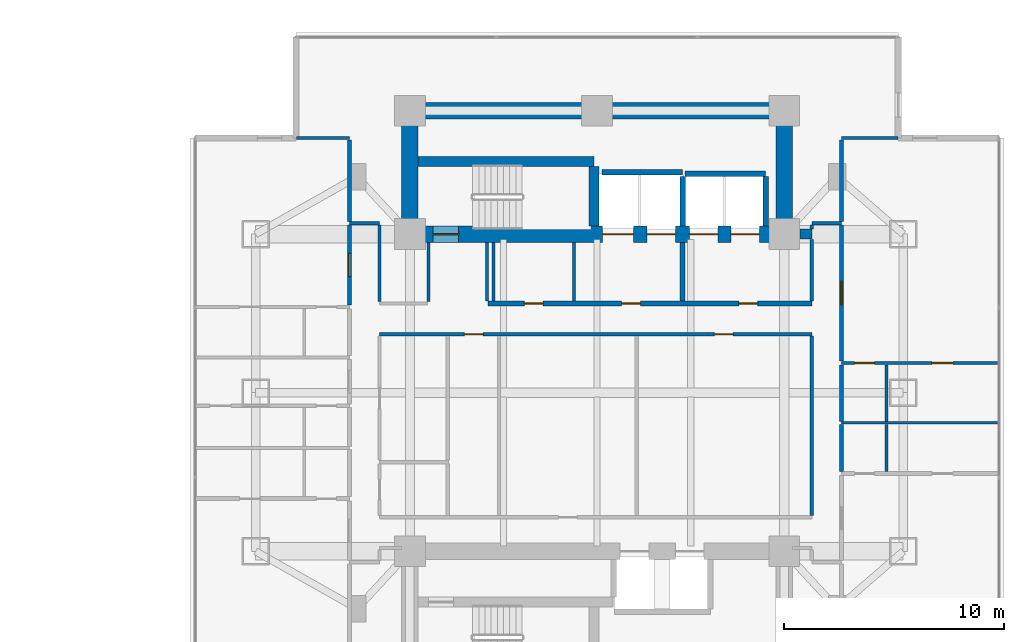
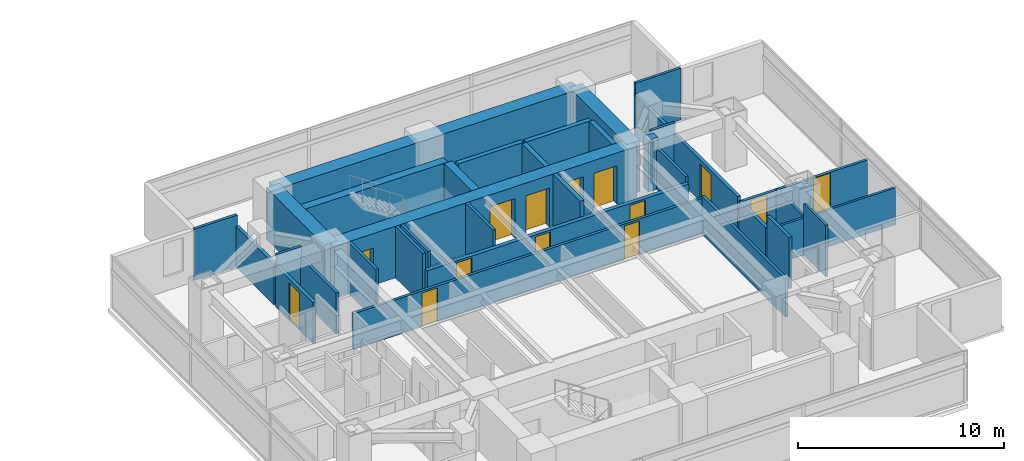
# One storey, part 17 of 23: 36 walls, 14 doors, 14 openings.
"""IFC4 building model written with IfcOpenShell, lengths in metres."""

import ifcopenshell
import ifcopenshell.guid

model = None  # the IFC model being written
_history = None  # IfcOwnerHistory: only IFC2X3 demands one
_inside = {}  # id of a spatial element -> (the spatial element, [elements in it])
_under = {}  # id of a project, library or spatial element -> (it, [spatial elements below it])
_declared = {}  # id of a project -> (the project, [libraries it declares])
_typed = {}  # id of a type object -> (the type object, [elements of that type])
_made_of = {}  # id of a material, layer set ... -> (it, [elements and type objects made of it])


def new_model(schema):
    """Start an empty IFC model of exactly this schema.

    Asked for "IFC4X3", IfcOpenShell would pick the latest addendum, in which some entities
    have other attributes; the version numbers below select the first issue.
    IFC2X3 requires an IfcOwnerHistory on every rooted entity: one is made here for all.
    """
    global model, _history
    if schema == "IFC4X3":
        model = ifcopenshell.file(schema_version=(4, 3, 0, 0))
    else:
        model = ifcopenshell.file(schema=schema)
    _inside.clear()
    _under.clear()
    _declared.clear()
    _typed.clear()
    _made_of.clear()
    _history = None
    if model.schema == "IFC2X3":
        org = make("IfcOrganization", Name="unknown")
        user = make(
            "IfcPersonAndOrganization",
            ThePerson=make("IfcPerson", FamilyName="unknown"),
            TheOrganization=org,
        )
        app = make(
            "IfcApplication",
            ApplicationDeveloper=org,
            Version="unknown",
            ApplicationFullName="unknown",
            ApplicationIdentifier="unknown",
        )
        _history = make(
            "IfcOwnerHistory",
            OwningUser=user,
            OwningApplication=app,
            ChangeAction="ADDED",
            CreationDate=0,
        )
    return model


def make(cls, **values):
    """One entity of the class cls with the attributes given. An attribute that is None is left unset."""
    return model.create_entity(
        cls, **{name: value for name, value in values.items() if value is not None}
    )


def rooted(cls, **values):
    """An entity with a GlobalId (a new one), such as an element, a storey or a relation."""
    return make(cls, GlobalId=ifcopenshell.guid.new(), OwnerHistory=_history, **values)


def si_unit(unit_type, name, prefix=None):
    """IfcSIUnit, for example si_unit("LENGTHUNIT", "METRE", prefix="MILLI")."""
    return make("IfcSIUnit", UnitType=unit_type, Prefix=prefix, Name=name)


def assignment(units):
    """IfcUnitAssignment: the units of a project."""
    return None if units is None else make("IfcUnitAssignment", Units=units)


def point(xyz):
    """IfcCartesianPoint."""
    return None if xyz is None else make("IfcCartesianPoint", Coordinates=xyz)


def direction(xyz):
    """IfcDirection."""
    return None if xyz is None else make("IfcDirection", DirectionRatios=xyz)


def frame(location, z_axis=None, x_axis=None):
    """IfcAxis2Placement3D, a coordinate frame: its origin and axes. An axis left out is left unset."""
    return make(
        "IfcAxis2Placement3D",
        Location=point(location),
        Axis=direction(z_axis),
        RefDirection=direction(x_axis),
    )


def frame_2d(location, x_axis=None):
    """IfcAxis2Placement2D, a coordinate frame in the plane: its origin and x axis."""
    return make(
        "IfcAxis2Placement2D", Location=point(location), RefDirection=direction(x_axis)
    )


def origin():
    """The frame at (0, 0, 0) with its axes left unset."""
    return frame((0.0, 0.0, 0.0))


def place(relative_to, where):
    """IfcLocalPlacement: puts the frame where relative to a parent placement (None: the world)."""
    return make(
        "IfcLocalPlacement", PlacementRelTo=relative_to, RelativePlacement=where
    )


def context(
    kind, dimensions, precision=None, world=None, true_north=None, identifier=None
):
    """IfcGeometricRepresentationContext, for example the 3D "Model" context."""
    return make(
        "IfcGeometricRepresentationContext",
        ContextIdentifier=identifier,
        ContextType=kind,
        CoordinateSpaceDimension=dimensions,
        Precision=precision,
        WorldCoordinateSystem=world,
        TrueNorth=true_north,
    )


def subcontext(parent, identifier, kind, view, scale=None):
    """IfcGeometricRepresentationSubContext, for example "Body" below "Model"."""
    return make(
        "IfcGeometricRepresentationSubContext",
        ContextIdentifier=identifier,
        ContextType=kind,
        ParentContext=parent,
        TargetScale=scale,
        TargetView=view,
    )


def project(units=None, contexts=None):
    """IfcProject with its units and contexts."""
    return rooted(
        "IfcProject",
        Name="project",
        RepresentationContexts=contexts,
        UnitsInContext=assignment(units),
    )


def spatial(cls, under=None, at=None, **own):
    """A site, building, storey or space (cls), placed at a placement, below another one or the project."""
    s = rooted(cls, ObjectPlacement=at, **own)
    if under is not None:
        _under.setdefault(under.id(), (under, []))[1].append(s)
    return s


def profile(cls, at=None, kind="AREA", **sizes):
    """A parametric profile (cls). Its sizes go by their IFC names, for example OverallWidth=200.0."""
    return make(cls, ProfileType=kind, Position=at, **sizes)


def rectangle(**sizes):
    """IfcRectangleProfileDef."""
    return profile("IfcRectangleProfileDef", **sizes)


def extrude(swept, where, along, depth):
    """IfcExtrudedAreaSolid: the profile swept, set in the frame where, extruded along a direction by depth."""
    return make(
        "IfcExtrudedAreaSolid",
        SweptArea=swept,
        Position=where,
        ExtrudedDirection=direction(along),
        Depth=depth,
    )


def shape(context_of_items, identifier, shape_type, items):
    """IfcShapeRepresentation: the items that make up one representation, for example the "Body"."""
    return make(
        "IfcShapeRepresentation",
        ContextOfItems=context_of_items,
        RepresentationIdentifier=identifier,
        RepresentationType=shape_type,
        Items=items,
    )


def material(Name=None, Category=None):
    """IfcMaterial."""
    return make("IfcMaterial", Name=Name, Category=Category)


def layer(
    of_material, thickness, ventilated=None, Name=None, Category=None, Priority=None
):
    """IfcMaterialLayer: one layer of a wall or slab, of a material (None: an air gap)."""
    return make(
        "IfcMaterialLayer",
        Material=of_material,
        LayerThickness=thickness,
        IsVentilated=ventilated,
        Name=Name,
        Category=Category,
        Priority=Priority,
    )


def layer_set(layers, Name=None):
    """IfcMaterialLayerSet."""
    return make("IfcMaterialLayerSet", MaterialLayers=layers, LayerSetName=Name)


def made_of(thing, what):
    """Note that an element or type object is made of a material, layer set ...; save() writes the relation."""
    if what is not None:
        _made_of.setdefault(what.id(), (what, []))[1].append(thing)
    return thing


def type_object(cls, material=None, **own):
    """A type object (cls), such as IfcWallType, which elements share."""
    return made_of(rooted(cls, **own), material)


def element(
    cls,
    number,
    at=None,
    inside=None,
    cuts=None,
    type_object=None,
    material=None,
    context=None,
    identifier="Body",
    shape_type=None,
    held_by="IfcProductDefinitionShape",
    body=None,
    shapes=None,
    **own,
):
    """One element of the class cls, such as IfcWall. Its Tag is "e" and its number.

    at: its placement. inside: the storey or other place that contains it. cuts: it is an
    opening in that element (IfcRelVoidsElement). A single representation is given by context,
    identifier, shape_type and body (its items); several are given by shapes. held_by: the class
    of the entity that holds the representations. save() writes the other relations.
    """
    e = rooted(cls, Tag="e%d" % number, ObjectPlacement=at, **own)
    if body is not None:
        shapes = [shape(context, identifier, shape_type, body)]
    if shapes is not None:
        e.Representation = make(held_by, Representations=shapes)
    if inside is not None:
        _inside.setdefault(inside.id(), (inside, []))[1].append(e)
    if cuts is not None:
        rooted(
            "IfcRelVoidsElement", RelatingBuildingElement=cuts, RelatedOpeningElement=e
        )
    if type_object is not None:
        _typed.setdefault(type_object.id(), (type_object, []))[1].append(e)
    return made_of(e, material)


def fill(opening, filler):
    """IfcRelFillsElement: the door or window that sits in an opening."""
    return rooted(
        "IfcRelFillsElement",
        RelatingOpeningElement=opening,
        RelatedBuildingElement=filler,
    )


def aggregate(whole, parts):
    """IfcRelAggregates: a whole, such as a stair, and the parts it consists of."""
    return rooted("IfcRelAggregates", RelatingObject=whole, RelatedObjects=parts)


def save(model, path):
    """Write the relations noted so far, then the file.

    IfcRelAggregates (storeys below a building ...), IfcRelContainedInSpatialStructure (elements
    in a storey), IfcRelDefinesByType, IfcRelAssociatesMaterial and IfcRelDeclares: one each for
    every whole, place, type object, material and project.
    """
    for whole, parts in _under.values():
        aggregate(whole, parts)
    for where, things in _inside.values():
        rooted(
            "IfcRelContainedInSpatialStructure",
            RelatedElements=things,
            RelatingStructure=where,
        )
    for kind, things in _typed.values():
        rooted("IfcRelDefinesByType", RelatedObjects=things, RelatingType=kind)
    for what, things in _made_of.values():
        rooted("IfcRelAssociatesMaterial", RelatedObjects=things, RelatingMaterial=what)
    for by, libraries in _declared.values():
        rooted("IfcRelDeclares", RelatingContext=by, RelatedDefinitions=libraries)
    model.write(path)


model = new_model("IFC4")

# Units and contexts
model_context = context("Model", 3, precision=1e-05, world=origin(), true_north=direction((0.0, 1.0)))
body_context = subcontext(model_context, "Body", "Model", "MODEL_VIEW")
ifc_project = project(units=[si_unit("LENGTHUNIT", "METRE"), si_unit("AREAUNIT", "SQUARE_METRE"), si_unit("VOLUMEUNIT", "CUBIC_METRE"), si_unit("PLANEANGLEUNIT", "RADIAN"), si_unit("MASSUNIT", "GRAM", prefix="KILO")], contexts=[model_context])

# Site, building, storey
site_placement = place(None, origin())
site = spatial("IfcSite", under=ifc_project, at=site_placement, CompositionType="ELEMENT")
building_placement = place(site_placement, origin())
building = spatial("IfcBuilding", under=site, at=building_placement, Name="Mirazonda Arch Towers", CompositionType="ELEMENT")
storey_placement = place(building_placement, frame((0.0, 0.0, 29.0)))
storey = spatial("IfcBuildingStorey", under=building, at=storey_placement, Name="L07", CompositionType="ELEMENT", Elevation=29.0)

# Walls
ifc_material_1 = material(Name="Concrete C50/60", Category="concrete")
ifc_layer_1 = layer(ifc_material_1, 0.449951171875, Name="WALL-CORE-450")
ifc_layer_set_1 = layer_set([ifc_layer_1], Name="Concrete C50/60")
wall_type_1 = type_object("IfcWallType", Name="WALL-CORE-450", PredefinedType="SHEAR", material=ifc_layer_set_1)
wall_1_placement = place(storey_placement, frame((85.715087890625, 35.199951171875, 0.0), z_axis=(0.0, 0.0, 1.0), x_axis=(1.0, 0.0, 0.0)))
element("IfcWall", 1, at=wall_1_placement, inside=storey, type_object=wall_type_1, Name="L07 Stair Core Shear Wall 049", PredefinedType="SHEAR", context=body_context, shape_type="SweptSolid", body=[
    extrude(rectangle(XDim=0.534912109375, YDim=0.449951171875, at=frame_2d((0.267578125, 0.0))), origin(), (0.0, 0.0, 1.0), 3.06005859375),
])
wall_2_placement = place(storey_placement, frame((68.3701171875, 38.5, 0.0), z_axis=(0.0, 0.0, 1.0), x_axis=(1.0, 0.0, 0.0)))
element("IfcWall", 2, at=wall_2_placement, inside=storey, type_object=wall_type_1, Name="L07 Stair Core Shear Wall 054", PredefinedType="SHEAR", context=body_context, shape_type="SweptSolid", body=[
    extrude(rectangle(XDim=7.989990234375, YDim=0.449951171875, at=frame_2d((3.9951171875, 0.0))), origin(), (0.0, 0.0, 1.0), 3.06005859375),
])
wall_3_placement = place(storey_placement, frame((76.360107421875, 35.570068359375, 0.0), z_axis=(0.0, 0.0, 1.0), x_axis=(0.0, 1.0, 0.0)))
element("IfcWall", 3, at=wall_3_placement, inside=storey, type_object=wall_type_1, Name="L07 Stair Core Shear Wall 142", PredefinedType="SHEAR", context=body_context, shape_type="SweptSolid", body=[
    extrude(rectangle(XDim=2.69482421875, YDim=0.449951171875, at=frame_2d((1.347412109375, 0.0))), origin(), (0.0, 0.0, 1.0), 3.06005859375),
])
ifc_material_2 = material(Name="Concrete C60/75", Category="concrete")
ifc_layer_2 = layer(ifc_material_2, 0.75, Name="WALL-CORE-750")
ifc_layer_set_2 = layer_set([ifc_layer_2], Name="Concrete C60/75")
wall_type_2 = type_object("IfcWallType", Name="WALL-CORE-750", PredefinedType="SHEAR", material=ifc_layer_set_2)
wall_4_placement = place(storey_placement, frame((68.0, 40.800048828125, 0.0), z_axis=(0.0, 0.0, 1.0), x_axis=(1.0, 0.0, 0.0)))
element("IfcWall", 4, at=wall_4_placement, inside=storey, type_object=wall_type_2, Name="L07 T2N-N Core Shear Wall", PredefinedType="SHEAR", context=body_context, shape_type="SweptSolid", body=[
    extrude(rectangle(XDim=17.0, YDim=0.75, at=frame_2d((8.5, 0.0))), origin(), (0.0, 0.0, 1.0), 3.06005859375),
])
for number, where, z_axis, x_axis, name in (
    (5, (68.0, 35.199951171875, 0.0), (0.0, 0.0, 1.0), (0.0, 1.0, 0.0), "L07 T2N-W Core Shear Wall"),
    (6, (85.0, 35.199951171875, 0.0), (0.0, 0.0, 1.0), (0.0, 1.0, 0.0), "L07 T2N-E Core Shear Wall"),
):
    element("IfcWall", number, at=place(storey_placement, frame(where, z_axis=z_axis, x_axis=x_axis)), inside=storey, type_object=wall_type_2, Name=name, PredefinedType="SHEAR", context=body_context, shape_type="SweptSolid", body=[
        extrude(rectangle(XDim=5.60009765625, YDim=0.75, at=frame_2d((2.800048828125, 0.0))), origin(), (0.0, 0.0, 1.0), 3.06005859375),
    ])

# Wall, openings, doors
wall_5_placement = place(storey_placement, frame((68.0, 35.199951171875, 0.0), z_axis=(0.0, 0.0, 1.0), x_axis=(1.0, 0.0, 0.0)))
wall_5 = element("IfcWall", 7, at=wall_5_placement, inside=storey, type_object=wall_type_2, Name="L07 T2N-S Core Shear Wall", PredefinedType="SHEAR", context=body_context, shape_type="SweptSolid", body=[
    extrude(rectangle(XDim=17.0, YDim=0.75, at=frame_2d((8.5, 0.0))), origin(), (0.0, 0.0, 1.0), 3.06005859375),
])
opening_1_placement = place(wall_5_placement, frame((1.06005859375, 0.0, 0.0)))
opening_1 = element("IfcOpeningElement", 8, at=opening_1_placement, cuts=wall_5, Name="Opening DR-135", PredefinedType="OPENING", context=body_context, shape_type="SweptSolid", body=[
    extrude(rectangle(XDim=1.14990234375, YDim=2.199951171875, at=frame_2d((0.574951171875, 1.10009765625))), frame((0.0, 0.385009765625, 0.0), z_axis=(0.0, -1.0, 0.0), x_axis=(1.0, 0.0, 0.0)), (0.0, 0.0, 1.0), 0.77001953125),
])
opening_2_placement = place(wall_5_placement, frame((8.75, 0.0, 0.0)))
opening_2 = element("IfcOpeningElement", 9, at=opening_2_placement, cuts=wall_5, Name="Opening LD-112", PredefinedType="OPENING", context=body_context, shape_type="SweptSolid", body=[
    extrude(rectangle(XDim=1.39990234375, YDim=2.35009765625, at=frame_2d((0.699951171875, 1.175048828125))), frame((0.0, 0.385009765625, 0.0), z_axis=(0.0, -1.0, 0.0), x_axis=(1.0, 0.0, 0.0)), (0.0, 0.0, 1.0), 0.77001953125),
])
opening_3_placement = place(wall_5_placement, frame((10.77001953125, 0.0, 0.0)))
opening_3 = element("IfcOpeningElement", 10, at=opening_3_placement, cuts=wall_5, Name="Opening LD-111", PredefinedType="OPENING", context=body_context, shape_type="SweptSolid", body=[
    extrude(rectangle(XDim=1.300048828125, YDim=2.300048828125, at=frame_2d((0.64990234375, 1.14990234375))), frame((0.0, 0.385009765625, 0.0), z_axis=(0.0, -1.0, 0.0), x_axis=(1.0, 0.0, 0.0)), (0.0, 0.0, 1.0), 0.77001953125),
])
opening_4_placement = place(wall_5_placement, frame((12.68994140625, 0.0, 0.0)))
opening_4 = element("IfcOpeningElement", 11, at=opening_4_placement, cuts=wall_5, Name="Opening LD-111", PredefinedType="OPENING", context=body_context, shape_type="SweptSolid", body=[
    extrude(rectangle(XDim=1.300048828125, YDim=2.300048828125, at=frame_2d((0.64990234375, 1.14990234375))), frame((0.0, 0.385009765625, 0.0), z_axis=(0.0, -1.0, 0.0), x_axis=(1.0, 0.0, 0.0)), (0.0, 0.0, 1.0), 0.77001953125),
])
opening_5_placement = place(wall_5_placement, frame((14.570068359375, 0.0, 0.0)))
opening_5 = element("IfcOpeningElement", 12, at=opening_5_placement, cuts=wall_5, Name="Opening LD-111", PredefinedType="OPENING", context=body_context, shape_type="SweptSolid", body=[
    extrude(rectangle(XDim=1.300048828125, YDim=2.300048828125, at=frame_2d((0.64990234375, 1.14990234375))), frame((0.0, 0.385009765625, 0.0), z_axis=(0.0, -1.0, 0.0), x_axis=(1.0, 0.0, 0.0)), (0.0, 0.0, 1.0), 0.77001953125),
])
ifc_material_3 = material(Name="Architectural Brushed Steel S355", Category="steel")
door_type_1 = type_object("IfcDoorType", Name="DOOR-LIFT-FFL-1400", OperationType="NOTDEFINED", PredefinedType="DOOR", material=ifc_material_3)
door_1_placement = place(opening_2_placement, origin())
door_1 = element("IfcDoor", 13, at=door_1_placement, inside=storey, type_object=door_type_1, Name="L07 Lift Landing Sliding Door FFL-T2", OperationType="DOUBLE_DOOR_SLIDING", OverallHeight=2.35009765625, OverallWidth=1.39990234375, PredefinedType="DOOR", context=body_context, shape_type="SweptSolid", body=[
    extrude(rectangle(XDim=1.39990234375, YDim=2.35009765625, at=frame_2d((0.699951171875, 1.175048828125))), frame((0.0, 0.02490234375, 0.0), z_axis=(0.0, -1.0, 0.0), x_axis=(1.0, 0.0, 0.0)), (0.0, 0.0, 1.0), 0.050048828125),
])
fill(opening_2, door_1)
door_type_2 = type_object("IfcDoorType", Name="DOOR-LIFT-LAND-1300", OperationType="NOTDEFINED", PredefinedType="DOOR", material=ifc_material_3)
door_2_placement = place(opening_3_placement, origin())
door_2 = element("IfcDoor", 14, at=door_2_placement, inside=storey, type_object=door_type_2, Name="L07 Lift Landing Sliding Door SVL-T2", OperationType="DOUBLE_DOOR_SLIDING", OverallHeight=2.300048828125, OverallWidth=1.300048828125, PredefinedType="DOOR", context=body_context, shape_type="SweptSolid", body=[
    extrude(rectangle(XDim=1.300048828125, YDim=2.300048828125, at=frame_2d((0.64990234375, 1.14990234375))), frame((0.0, 0.02490234375, 0.0), z_axis=(0.0, -1.0, 0.0), x_axis=(1.0, 0.0, 0.0)), (0.0, 0.0, 1.0), 0.050048828125),
])
fill(opening_3, door_2)
door_3_placement = place(opening_4_placement, origin())
door_3 = element("IfcDoor", 15, at=door_3_placement, inside=storey, type_object=door_type_2, Name="L07 Lift Landing Sliding Door PL-T2L1", OperationType="DOUBLE_DOOR_SLIDING", OverallHeight=2.300048828125, OverallWidth=1.300048828125, PredefinedType="DOOR", context=body_context, shape_type="SweptSolid", body=[
    extrude(rectangle(XDim=1.300048828125, YDim=2.300048828125, at=frame_2d((0.64990234375, 1.14990234375))), frame((0.0, 0.02490234375, 0.0), z_axis=(0.0, -1.0, 0.0), x_axis=(1.0, 0.0, 0.0)), (0.0, 0.0, 1.0), 0.050048828125),
])
fill(opening_4, door_3)
door_4_placement = place(opening_5_placement, origin())
door_4 = element("IfcDoor", 16, at=door_4_placement, inside=storey, type_object=door_type_2, Name="L07 Lift Landing Sliding Door PL-T2L2", OperationType="DOUBLE_DOOR_SLIDING", OverallHeight=2.300048828125, OverallWidth=1.300048828125, PredefinedType="DOOR", context=body_context, shape_type="SweptSolid", body=[
    extrude(rectangle(XDim=1.300048828125, YDim=2.300048828125, at=frame_2d((0.64990234375, 1.14990234375))), frame((0.0, 0.02490234375, 0.0), z_axis=(0.0, -1.0, 0.0), x_axis=(1.0, 0.0, 0.0)), (0.0, 0.0, 1.0), 0.050048828125),
])
fill(opening_5, door_4)
door_type_3 = type_object("IfcDoorType", Name="DOOR-STAIR-FD90-1150", OperationType="NOTDEFINED", PredefinedType="DOOR", material=ifc_material_3)
door_5_placement = place(opening_1_placement, origin())
door_5 = element("IfcDoor", 17, at=door_5_placement, inside=storey, type_object=door_type_3, Name="L07 East Protected Stair North Door", OperationType="SINGLE_SWING_LEFT", OverallHeight=2.199951171875, OverallWidth=1.14990234375, PredefinedType="DOOR", context=body_context, shape_type="SweptSolid", body=[
    extrude(rectangle(XDim=1.14990234375, YDim=2.199951171875, at=frame_2d((0.574951171875, 1.10009765625))), frame((0.0, 0.02490234375, 0.0), z_axis=(0.0, -1.0, 0.0), x_axis=(1.0, 0.0, 0.0)), (0.0, 0.0, 1.0), 0.050048828125),
])
fill(opening_1, door_5)

ifc_material_4 = material(Name="Concrete C40/50", Category="concrete")
ifc_layer_3 = layer(ifc_material_4, 0.219970703125, Name="WALL-FFL-220")
ifc_layer_set_3 = layer_set([ifc_layer_3], Name="Concrete C40/50")
wall_type_3 = type_object("IfcWallType", Name="WALL-FFL-220", PredefinedType="SOLIDWALL", material=ifc_layer_set_3)
wall_6_placement = place(storey_placement, frame((71.550048828125, 32.050048828125, 0.0), z_axis=(0.0, 0.0, 1.0), x_axis=(1.0, 0.0, 0.0)))
wall_6 = element("IfcWall", 18, at=wall_6_placement, inside=storey, type_object=wall_type_3, Name="L07 Interior Partition 042", PredefinedType="SOLIDWALL", context=body_context, shape_type="SweptSolid", body=[
    extrude(rectangle(XDim=14.699951171875, YDim=0.219970703125, at=frame_2d((7.35009765625, 0.0))), origin(), (0.0, 0.0, 1.0), 2.125),
])
opening_6_placement = place(wall_6_placement, frame((11.389892578125, 0.0, 0.0)))
opening_6 = element("IfcOpeningElement", 19, at=opening_6_placement, cuts=wall_6, Name="Opening DR-128", PredefinedType="OPENING", context=body_context, shape_type="SweptSolid", body=[
    extrude(rectangle(XDim=0.85009765625, YDim=2.010009765625, at=frame_2d((0.425048828125, 1.0048828125))), frame((0.0, 0.119873046875, 0.0), z_axis=(0.0, -1.0, 0.0), x_axis=(1.0, 0.0, 0.0)), (0.0, 0.0, 1.0), 0.239990234375),
])
opening_7_placement = place(wall_6_placement, frame((6.06494140625, 0.0, 0.0)))
opening_7 = element("IfcOpeningElement", 20, at=opening_7_placement, cuts=wall_6, Name="Opening DR-128", PredefinedType="OPENING", context=body_context, shape_type="SweptSolid", body=[
    extrude(rectangle(XDim=0.85009765625, YDim=2.010009765625, at=frame_2d((0.425048828125, 1.0048828125))), frame((0.0, 0.119873046875, 0.0), z_axis=(0.0, -1.0, 0.0), x_axis=(1.0, 0.0, 0.0)), (0.0, 0.0, 1.0), 0.239990234375),
])
opening_8_placement = place(wall_6_placement, frame((1.64990234375, 0.0, 0.0)))
opening_8 = element("IfcOpeningElement", 21, at=opening_8_placement, cuts=wall_6, Name="Opening DR-128", PredefinedType="OPENING", context=body_context, shape_type="SweptSolid", body=[
    extrude(rectangle(XDim=0.85009765625, YDim=2.010009765625, at=frame_2d((0.425048828125, 1.0048828125))), frame((0.0, 0.119873046875, 0.0), z_axis=(0.0, -1.0, 0.0), x_axis=(1.0, 0.0, 0.0)), (0.0, 0.0, 1.0), 0.239990234375),
])
door_type_4 = type_object("IfcDoorType", Name="DOOR-RISER-FD60-850", OperationType="NOTDEFINED", PredefinedType="DOOR", material=ifc_material_3)
door_6_placement = place(opening_6_placement, origin())
door_6 = element("IfcDoor", 22, at=door_6_placement, inside=storey, type_object=door_type_4, Name="L07 East Passenger Lift Lobby Door", OperationType="SINGLE_SWING_RIGHT", OverallHeight=2.010009765625, OverallWidth=0.85009765625, PredefinedType="DOOR", context=body_context, shape_type="SweptSolid", body=[
    extrude(rectangle(XDim=0.85009765625, YDim=2.010009765625, at=frame_2d((0.425048828125, 1.0048828125))), frame((0.0, 0.02490234375, 0.0), z_axis=(0.0, -1.0, 0.0), x_axis=(1.0, 0.0, 0.0)), (0.0, 0.0, 1.0), 0.050048828125),
])
fill(opening_6, door_6)
door_7_placement = place(opening_7_placement, origin())
door_7 = element("IfcDoor", 23, at=door_7_placement, inside=storey, type_object=door_type_4, Name="L07 East Firefighting Lift Lobby Door", OperationType="SINGLE_SWING_RIGHT", OverallHeight=2.010009765625, OverallWidth=0.85009765625, PredefinedType="DOOR", context=body_context, shape_type="SweptSolid", body=[
    extrude(rectangle(XDim=0.85009765625, YDim=2.010009765625, at=frame_2d((0.425048828125, 1.0048828125))), frame((0.0, 0.02490234375, 0.0), z_axis=(0.0, -1.0, 0.0), x_axis=(1.0, 0.0, 0.0)), (0.0, 0.0, 1.0), 0.050048828125),
])
fill(opening_7, door_7)
door_8_placement = place(opening_8_placement, origin())
door_8 = element("IfcDoor", 24, at=door_8_placement, inside=storey, type_object=door_type_4, Name="L07 Tower 2 Housekeeping & Linen Room Door", OperationType="SINGLE_SWING_LEFT", OverallHeight=2.010009765625, OverallWidth=0.85009765625, PredefinedType="DOOR", context=body_context, shape_type="SweptSolid", body=[
    extrude(rectangle(XDim=0.85009765625, YDim=2.010009765625, at=frame_2d((0.425048828125, 1.0048828125))), frame((0.0, 0.02490234375, 0.0), z_axis=(0.0, -1.0, 0.0), x_axis=(1.0, 0.0, 0.0)), (0.0, 0.0, 1.0), 0.050048828125),
])
fill(opening_8, door_8)

# Wall
wall_7_placement = place(storey_placement, frame((80.3798828125, 32.169921875, 0.0), z_axis=(0.0, 0.0, 1.0), x_axis=(0.0, 1.0, 0.0)))
element("IfcWall", 25, at=wall_7_placement, inside=storey, type_object=wall_type_3, Name="L07 Interior Partition 145", PredefinedType="SOLIDWALL", context=body_context, shape_type="SweptSolid", body=[
    extrude(rectangle(XDim=2.66015625, YDim=0.219970703125, at=frame_2d((1.330078125, 0.0))), origin(), (0.0, 0.0, 1.0), 3.06005859375),
])

# Wall, openings, doors
ifc_material_5 = material(Name="Fire-Rated Gypsum Stud Partition")
ifc_layer_4 = layer(ifc_material_5, 0.14990234375, Name="WALL-PART-CORR-150")
ifc_layer_set_4 = layer_set([ifc_layer_4], Name="Fire-Rated Gypsum Stud Partition")
wall_type_4 = type_object("IfcWallType", Name="WALL-PART-CORR-150", PredefinedType="PARTITIONING", material=ifc_layer_set_4)
wall_8_placement = place(storey_placement, frame((87.60009765625, 29.35205078125, 0.0), z_axis=(0.0, 0.0, 1.0), x_axis=(1.0, 0.0, 0.0)))
wall_8 = element("IfcWall", 26, at=wall_8_placement, inside=storey, type_object=wall_type_4, Name="L07 Interior Partition 035", PredefinedType="PARTITIONING", context=body_context, shape_type="SweptSolid", body=[
    extrude(rectangle(XDim=7.156005859375, YDim=0.14990234375, at=frame_2d((3.578125, 0.0))), origin(), (0.0, 0.0, 1.0), 2.196044921875),
])
opening_9_placement = place(wall_8_placement, frame((4.10302734375, 0.0, 0.0)))
opening_9 = element("IfcOpeningElement", 27, at=opening_9_placement, cuts=wall_8, Name="Opening DR-104", PredefinedType="OPENING", context=body_context, shape_type="SweptSolid", body=[
    extrude(rectangle(XDim=0.949951171875, YDim=2.14990234375, at=frame_2d((0.47509765625, 1.074951171875))), frame((0.0, 0.0849609375, 0.0), z_axis=(0.0, -1.0, 0.0), x_axis=(1.0, 0.0, 0.0)), (0.0, 0.0, 1.0), 0.169921875),
])
opening_10_placement = place(wall_8_placement, frame((0.590087890625, 0.0, 0.0)))
opening_10 = element("IfcOpeningElement", 28, at=opening_10_placement, cuts=wall_8, Name="Opening DR-120", PredefinedType="OPENING", context=body_context, shape_type="SweptSolid", body=[
    extrude(rectangle(XDim=0.89990234375, YDim=2.10009765625, at=frame_2d((0.449951171875, 1.050048828125))), frame((0.0, 0.0849609375, 0.0), z_axis=(0.0, -1.0, 0.0), x_axis=(1.0, 0.0, 0.0)), (0.0, 0.0, 1.0), 0.169921875),
])
door_type_5 = type_object("IfcDoorType", Name="DOOR-ROOM-950", OperationType="NOTDEFINED", PredefinedType="DOOR", material=ifc_material_3)
door_9_placement = place(opening_9_placement, origin())
door_9 = element("IfcDoor", 29, at=door_9_placement, inside=storey, type_object=door_type_5, Name="L07 Suite Bedroom 2 Door", OperationType="SINGLE_SWING_LEFT", OverallHeight=2.14990234375, OverallWidth=0.949951171875, PredefinedType="DOOR", context=body_context, shape_type="SweptSolid", body=[
    extrude(rectangle(XDim=0.949951171875, YDim=2.14990234375, at=frame_2d((0.47509765625, 1.074951171875))), frame((0.0, 0.02490234375, 0.0), z_axis=(0.0, -1.0, 0.0), x_axis=(1.0, 0.0, 0.0)), (0.0, 0.0, 1.0), 0.050048828125),
])
fill(opening_9, door_9)
door_type_6 = type_object("IfcDoorType", Name="DOOR-WC-900", OperationType="NOTDEFINED", PredefinedType="DOOR", material=ifc_material_3)
door_10_placement = place(opening_10_placement, origin())
door_10 = element("IfcDoor", 30, at=door_10_placement, inside=storey, type_object=door_type_6, Name="L07 Suite En-Suite Bathroom 2 Door", OperationType="SINGLE_SWING_RIGHT", OverallHeight=2.10009765625, OverallWidth=0.89990234375, PredefinedType="DOOR", context=body_context, shape_type="SweptSolid", body=[
    extrude(rectangle(XDim=0.89990234375, YDim=2.10009765625, at=frame_2d((0.449951171875, 1.050048828125))), frame((0.0, 0.02490234375, 0.0), z_axis=(0.0, -1.0, 0.0), x_axis=(1.0, 0.0, 0.0)), (0.0, 0.0, 1.0), 0.050048828125),
])
fill(opening_10, door_10)

wall_9_placement = place(storey_placement, frame((66.6201171875, 30.64990234375, 0.0), z_axis=(0.0, 0.0, 1.0), x_axis=(1.0, 0.0, 0.0)))
wall_9 = element("IfcWall", 31, at=wall_9_placement, inside=storey, type_object=wall_type_4, Name="L07 Interior Partition 039", PredefinedType="PARTITIONING", context=body_context, shape_type="SweptSolid", body=[
    extrude(rectangle(XDim=19.6298828125, YDim=0.14990234375, at=frame_2d((9.81494140625, 0.0))), origin(), (0.0, 0.0, 1.0), 2.125),
])
opening_11_placement = place(wall_9_placement, frame((3.85498046875, 0.0, 0.0)))
opening_11 = element("IfcOpeningElement", 32, at=opening_11_placement, cuts=wall_9, Name="Opening DR-128", PredefinedType="OPENING", context=body_context, shape_type="SweptSolid", body=[
    extrude(rectangle(XDim=0.85009765625, YDim=2.010009765625, at=frame_2d((0.425048828125, 1.0048828125))), frame((0.0, 0.0849609375, 0.0), z_axis=(0.0, -1.0, 0.0), x_axis=(1.0, 0.0, 0.0)), (0.0, 0.0, 1.0), 0.169921875),
])
opening_12_placement = place(wall_9_placement, frame((15.208984375, 0.0, 0.0)))
opening_12 = element("IfcOpeningElement", 33, at=opening_12_placement, cuts=wall_9, Name="Opening DR-128", PredefinedType="OPENING", context=body_context, shape_type="SweptSolid", body=[
    extrude(rectangle(XDim=0.85009765625, YDim=2.010009765625, at=frame_2d((0.425048828125, 1.0048828125))), frame((0.0, 0.0849609375, 0.0), z_axis=(0.0, -1.0, 0.0), x_axis=(1.0, 0.0, 0.0)), (0.0, 0.0, 1.0), 0.169921875),
])
door_11_placement = place(opening_11_placement, origin())
door_11 = element("IfcDoor", 34, at=door_11_placement, inside=storey, type_object=door_type_4, Name="L07 L07 East Courtyard Study Door", OperationType="SINGLE_SWING_RIGHT", OverallHeight=2.010009765625, OverallWidth=0.85009765625, PredefinedType="DOOR", context=body_context, shape_type="SweptSolid", body=[
    extrude(rectangle(XDim=0.85009765625, YDim=2.010009765625, at=frame_2d((0.425048828125, 1.0048828125))), frame((0.0, 0.02490234375, 0.0), z_axis=(0.0, -1.0, 0.0), x_axis=(1.0, 0.0, 0.0)), (0.0, 0.0, 1.0), 0.050048828125),
])
fill(opening_11, door_11)
door_12_placement = place(opening_12_placement, origin())
door_12 = element("IfcDoor", 35, at=door_12_placement, inside=storey, type_object=door_type_4, Name="L07 Business Reading Study Door", OperationType="SINGLE_SWING_RIGHT", OverallHeight=2.010009765625, OverallWidth=0.85009765625, PredefinedType="DOOR", context=body_context, shape_type="SweptSolid", body=[
    extrude(rectangle(XDim=0.85009765625, YDim=2.010009765625, at=frame_2d((0.425048828125, 1.0048828125))), frame((0.0, 0.02490234375, 0.0), z_axis=(0.0, -1.0, 0.0), x_axis=(1.0, 0.0, 0.0)), (0.0, 0.0, 1.0), 0.050048828125),
])
fill(opening_12, door_12)

# Walls
wall_10_placement = place(storey_placement, frame((65.25, 35.699951171875, 0.0), z_axis=(0.0, 0.0, 1.0), x_axis=(1.0, 0.0, 0.0)))
element("IfcWall", 36, at=wall_10_placement, inside=storey, type_object=wall_type_4, Name="L07 Interior Partition 050", PredefinedType="PARTITIONING", context=body_context, shape_type="SweptSolid", body=[
    extrude(rectangle(XDim=1.3701171875, YDim=0.14990234375, at=frame_2d((0.68505859375, 0.0))), origin(), (0.0, 0.0, 1.0), 3.06005859375),
])
wall_11_placement = place(storey_placement, frame((86.25, 35.699951171875, 0.0), z_axis=(0.0, 0.0, 1.0), x_axis=(1.0, 0.0, 0.0)))
element("IfcWall", 37, at=wall_11_placement, inside=storey, type_object=wall_type_4, Name="L07 Interior Partition 051", PredefinedType="PARTITIONING", context=body_context, shape_type="SweptSolid", body=[
    extrude(rectangle(XDim=1.35009765625, YDim=0.14990234375, at=frame_2d((0.675048828125, 0.0))), origin(), (0.0, 0.0, 1.0), 3.06005859375),
])
wall_12_placement = place(storey_placement, frame((62.843994140625, 39.56689453125, 0.0), z_axis=(0.0, 0.0, 1.0), x_axis=(1.0, 0.0, 0.0)))
element("IfcWall", 38, at=wall_12_placement, inside=storey, type_object=wall_type_4, Name="L07 Interior Partition 055", PredefinedType="PARTITIONING", context=body_context, shape_type="SweptSolid", body=[
    extrude(rectangle(XDim=2.406005859375, YDim=0.14990234375, at=frame_2d((1.203125, 0.0))), origin(), (0.0, 0.0, 1.0), 3.06005859375),
])
wall_13_placement = place(storey_placement, frame((87.60009765625, 39.56689453125, 0.0), z_axis=(0.0, 0.0, 1.0), x_axis=(1.0, 0.0, 0.0)))
element("IfcWall", 39, at=wall_13_placement, inside=storey, type_object=wall_type_4, Name="L07 Interior Partition 056", PredefinedType="PARTITIONING", context=body_context, shape_type="SweptSolid", body=[
    extrude(rectangle(XDim=2.555908203125, YDim=0.14990234375, at=frame_2d((1.27783203125, 0.0))), origin(), (0.0, 0.0, 1.0), 3.06005859375),
])
wall_14_placement = place(storey_placement, frame((66.6201171875, 32.135009765625, 0.0), z_axis=(0.0, 0.0, 1.0), x_axis=(0.0, 1.0, 0.0)))
element("IfcWall", 40, at=wall_14_placement, inside=storey, type_object=wall_type_4, Name="L07 Interior Partition 133", PredefinedType="PARTITIONING", context=body_context, shape_type="SweptSolid", body=[
    extrude(rectangle(XDim=3.47998046875, YDim=0.14990234375, at=frame_2d((1.739990234375, 0.0))), origin(), (0.0, 0.0, 1.0), 2.451904296875),
])
wall_15_placement = place(storey_placement, frame((68.85009765625, 32.135009765625, 0.0), z_axis=(0.0, 0.0, 1.0), x_axis=(0.0, 1.0, 0.0)))
element("IfcWall", 41, at=wall_15_placement, inside=storey, type_object=wall_type_4, Name="L07 Interior Partition 134", PredefinedType="PARTITIONING", context=body_context, shape_type="SweptSolid", body=[
    extrude(rectangle(XDim=2.695068359375, YDim=0.14990234375, at=frame_2d((1.34765625, 0.0))), origin(), (0.0, 0.0, 1.0), 3.06005859375),
])
for number, where, z_axis, x_axis, name in (
    (42, (71.5, 32.169921875, 0.0), (0.0, 0.0, 1.0), (0.0, 1.0, 0.0), "L07 Interior Partition 137"),
    (43, (71.800048828125, 32.169921875, 0.0), (0.0, 0.0, 1.0), (0.0, 1.0, 0.0), "L07 Interior Partition 138"),
    (44, (75.449951171875, 32.169921875, 0.0), (0.0, 0.0, 1.0), (0.0, 1.0, 0.0), "L07 Interior Partition 140"),
):
    element("IfcWall", number, at=place(storey_placement, frame(where, z_axis=z_axis, x_axis=x_axis)), inside=storey, type_object=wall_type_4, Name=name, PredefinedType="PARTITIONING", context=body_context, shape_type="SweptSolid", body=[
        extrude(rectangle(XDim=2.66015625, YDim=0.14990234375, at=frame_2d((1.330078125, 0.0))), origin(), (0.0, 0.0, 1.0), 3.06005859375),
    ])
wall_16_placement = place(storey_placement, frame((86.25, 22.43505859375, 0.0), z_axis=(0.0, 0.0, 1.0), x_axis=(0.0, 1.0, 0.0)))
element("IfcWall", 45, at=wall_16_placement, inside=storey, type_object=wall_type_4, Name="L07 Interior Partition 150", PredefinedType="PARTITIONING", context=body_context, shape_type="SweptSolid", body=[
    extrude(rectangle(XDim=8.1298828125, YDim=0.14990234375, at=frame_2d((4.06494140625, 0.0))), origin(), (0.0, 0.0, 1.0), 2.279052734375),
])
wall_17_placement = place(storey_placement, frame((86.25, 32.169921875, 0.0), z_axis=(0.0, 0.0, 1.0), x_axis=(0.0, 1.0, 0.0)))
element("IfcWall", 46, at=wall_17_placement, inside=storey, type_object=wall_type_4, Name="L07 Interior Partition 151", PredefinedType="PARTITIONING", context=body_context, shape_type="SweptSolid", body=[
    extrude(rectangle(XDim=2.795166015625, YDim=0.14990234375, at=frame_2d((1.3974609375, 0.0))), origin(), (0.0, 0.0, 1.0), 2.451904296875),
])
wall_18_placement = place(storey_placement, frame((86.25, 35.43505859375, 0.0), z_axis=(0.0, 0.0, 1.0), x_axis=(0.0, 1.0, 0.0)))
element("IfcWall", 47, at=wall_18_placement, inside=storey, type_object=wall_type_4, Name="L07 Interior Partition 152", PredefinedType="PARTITIONING", context=body_context, shape_type="SweptSolid", body=[
    extrude(rectangle(XDim=0.179931640625, YDim=0.14990234375, at=frame_2d((0.08984375, 0.0))), origin(), (0.0, 0.0, 1.0), 2.451904296875),
])

# Wall, opening, door
ifc_material_6 = material(Name="Fire-Rated Gypsum Twin-Stud Assembly")
ifc_layer_5 = layer(ifc_material_6, 0.179931640625, Name="WALL-PART-DEMISE-180")
ifc_layer_set_5 = layer_set([ifc_layer_5], Name="Fire-Rated Gypsum Twin-Stud Assembly")
wall_type_5 = type_object("IfcWallType", Name="WALL-PART-DEMISE-180", PredefinedType="PARTITIONING", material=ifc_layer_set_5)
wall_19_placement = place(storey_placement, frame((65.25, 31.98095703125, 0.0), z_axis=(0.0, 0.0, 1.0), x_axis=(0.0, 1.0, 0.0)))
wall_19 = element("IfcWall", 48, at=wall_19_placement, inside=storey, type_object=wall_type_5, Name="L07 Interior Partition 128", PredefinedType="PARTITIONING", context=body_context, shape_type="SweptSolid", body=[
    extrude(rectangle(XDim=3.634033203125, YDim=0.179931640625, at=frame_2d((1.81689453125, 0.0))), origin(), (0.0, 0.0, 1.0), 2.451904296875),
])
opening_13_placement = place(wall_19_placement, frame((1.2919921875, 0.0, 0.0)))
opening_13 = element("IfcOpeningElement", 49, at=opening_13_placement, cuts=wall_19, Name="Opening DR-121", PredefinedType="OPENING", context=body_context, shape_type="SweptSolid", body=[
    extrude(rectangle(XDim=1.050048828125, YDim=2.199951171875, at=frame_2d((0.52490234375, 1.10009765625))), frame((0.0, 0.099853515625, 0.0), z_axis=(0.0, -1.0, 0.0), x_axis=(1.0, 0.0, 0.0)), (0.0, 0.0, 1.0), 0.199951171875),
])
door_type_7 = type_object("IfcDoorType", Name="DOOR-SUITE-FD60-1050", OperationType="NOTDEFINED", PredefinedType="DOOR", material=ifc_material_3)
door_13_placement = place(opening_13_placement, origin())
door_13 = element("IfcDoor", 50, at=door_13_placement, inside=storey, type_object=door_type_7, Name="L07 King Hotel Guestroom 3 Door", OperationType="SINGLE_SWING_RIGHT", OverallHeight=2.199951171875, OverallWidth=1.050048828125, PredefinedType="DOOR", context=body_context, shape_type="SweptSolid", body=[
    extrude(rectangle(XDim=1.050048828125, YDim=2.199951171875, at=frame_2d((0.52490234375, 1.10009765625))), frame((0.0, 0.02490234375, 0.0), z_axis=(0.0, -1.0, 0.0), x_axis=(1.0, 0.0, 0.0)), (0.0, 0.0, 1.0), 0.050048828125),
])
fill(opening_13, door_13)

# Walls
wall_20_placement = place(storey_placement, frame((65.25, 35.784912109375, 0.0), z_axis=(0.0, 0.0, 1.0), x_axis=(0.0, 1.0, 0.0)))
element("IfcWall", 51, at=wall_20_placement, inside=storey, type_object=wall_type_5, Name="L07 Interior Partition 129", PredefinedType="PARTITIONING", context=body_context, shape_type="SweptSolid", body=[
    extrude(rectangle(XDim=3.697021484375, YDim=0.179931640625, at=frame_2d((1.8486328125, 0.0))), origin(), (0.0, 0.0, 1.0), 2.43603515625),
])
wall_21_placement = place(storey_placement, frame((87.60009765625, 24.431884765625, 0.0), z_axis=(0.0, 0.0, 1.0), x_axis=(0.0, 1.0, 0.0)))
element("IfcWall", 52, at=wall_21_placement, inside=storey, type_object=wall_type_5, Name="L07 Interior Partition 155", PredefinedType="PARTITIONING", context=body_context, shape_type="SweptSolid", body=[
    extrude(rectangle(XDim=2.127685546875, YDim=0.179931640625, at=frame_2d((1.06396484375, 0.0))), origin(), (0.0, 0.0, 1.0), 3.06005859375),
])
wall_22_placement = place(storey_placement, frame((87.60009765625, 26.70458984375, 0.0), z_axis=(0.0, 0.0, 1.0), x_axis=(0.0, 1.0, 0.0)))
element("IfcWall", 53, at=wall_22_placement, inside=storey, type_object=wall_type_5, Name="L07 Interior Partition 156", PredefinedType="PARTITIONING", context=body_context, shape_type="SweptSolid", body=[
    extrude(rectangle(XDim=2.5625, YDim=0.179931640625, at=frame_2d((1.28125, 0.0))), origin(), (0.0, 0.0, 1.0), 2.279052734375),
])

# Wall, opening, door
wall_23_placement = place(storey_placement, frame((87.60009765625, 29.43701171875, 0.0), z_axis=(0.0, 0.0, 1.0), x_axis=(0.0, 1.0, 0.0)))
wall_23 = element("IfcWall", 54, at=wall_23_placement, inside=storey, type_object=wall_type_5, Name="L07 Interior Partition 157", PredefinedType="PARTITIONING", context=body_context, shape_type="SweptSolid", body=[
    extrude(rectangle(XDim=6.177978515625, YDim=0.179931640625, at=frame_2d((3.0888671875, 0.0))), origin(), (0.0, 0.0, 1.0), 2.451904296875),
])
opening_14_placement = place(wall_23_placement, frame((2.56396484375, 0.0, 0.0)))
opening_14 = element("IfcOpeningElement", 55, at=opening_14_placement, cuts=wall_23, Name="Opening DR-121", PredefinedType="OPENING", context=body_context, shape_type="SweptSolid", body=[
    extrude(rectangle(XDim=1.050048828125, YDim=2.199951171875, at=frame_2d((0.52490234375, 1.10009765625))), frame((0.0, 0.099853515625, 0.0), z_axis=(0.0, -1.0, 0.0), x_axis=(1.0, 0.0, 0.0)), (0.0, 0.0, 1.0), 0.199951171875),
])
door_14_placement = place(opening_14_placement, origin())
door_14 = element("IfcDoor", 56, at=door_14_placement, inside=storey, type_object=door_type_7, Name="L07 Presidential Hotel Suite 2 Door", OperationType="SINGLE_SWING_RIGHT", OverallHeight=2.199951171875, OverallWidth=1.050048828125, PredefinedType="DOOR", context=body_context, shape_type="SweptSolid", body=[
    extrude(rectangle(XDim=1.050048828125, YDim=2.199951171875, at=frame_2d((0.52490234375, 1.10009765625))), frame((0.0, 0.02490234375, 0.0), z_axis=(0.0, -1.0, 0.0), x_axis=(1.0, 0.0, 0.0)), (0.0, 0.0, 1.0), 0.050048828125),
])
fill(opening_14, door_14)

# Walls
wall_24_placement = place(storey_placement, frame((87.60009765625, 35.784912109375, 0.0), z_axis=(0.0, 0.0, 1.0), x_axis=(0.0, 1.0, 0.0)))
element("IfcWall", 57, at=wall_24_placement, inside=storey, type_object=wall_type_5, Name="L07 Interior Partition 158", PredefinedType="PARTITIONING", context=body_context, shape_type="SweptSolid", body=[
    extrude(rectangle(XDim=3.697021484375, YDim=0.179931640625, at=frame_2d((1.8486328125, 0.0))), origin(), (0.0, 0.0, 1.0), 2.43603515625),
])
ifc_material_7 = material(Name="Acoustic Fire-Rated Gypsum Partition")
ifc_layer_6 = layer(ifc_material_7, 0.125, Name="WALL-PART-UNIT-125")
ifc_layer_set_6 = layer_set([ifc_layer_6], Name="Acoustic Fire-Rated Gypsum Partition")
wall_type_6 = type_object("IfcWallType", Name="WALL-PART-UNIT-125", PredefinedType="PARTITIONING", material=ifc_layer_set_6)
wall_25_placement = place(storey_placement, frame((87.60009765625, 26.632080078125, 0.0), z_axis=(0.0, 0.0, 1.0), x_axis=(1.0, 0.0, 0.0)))
element("IfcWall", 58, at=wall_25_placement, inside=storey, type_object=wall_type_6, Name="L07 Interior Partition 031", PredefinedType="PARTITIONING", context=body_context, shape_type="SweptSolid", body=[
    extrude(rectangle(XDim=7.156005859375, YDim=0.125, at=frame_2d((3.578125, 0.0))), origin(), (0.0, 0.0, 1.0), 2.196044921875),
])
wall_26_placement = place(storey_placement, frame((89.639892578125, 24.431884765625, 0.0), z_axis=(0.0, 0.0, 1.0), x_axis=(0.0, 1.0, 0.0)))
element("IfcWall", 59, at=wall_26_placement, inside=storey, type_object=wall_type_6, Name="L07 Interior Partition 159", PredefinedType="PARTITIONING", context=body_context, shape_type="SweptSolid", body=[
    extrude(rectangle(XDim=2.127685546875, YDim=0.125, at=frame_2d((1.06396484375, 0.0))), origin(), (0.0, 0.0, 1.0), 3.06005859375),
])
wall_27_placement = place(storey_placement, frame((89.639892578125, 26.70458984375, 0.0), z_axis=(0.0, 0.0, 1.0), x_axis=(0.0, 1.0, 0.0)))
element("IfcWall", 60, at=wall_27_placement, inside=storey, type_object=wall_type_6, Name="L07 Interior Partition 160", PredefinedType="PARTITIONING", context=body_context, shape_type="SweptSolid", body=[
    extrude(rectangle(XDim=2.5625, YDim=0.125, at=frame_2d((1.28125, 0.0))), origin(), (0.0, 0.0, 1.0), 2.279052734375),
])
ifc_layer_7 = layer(ifc_material_4, 0.25, Name="WALL-SHAFT-250")
ifc_layer_set_7 = layer_set([ifc_layer_7], Name="Concrete C40/50")
wall_type_7 = type_object("IfcWallType", Name="WALL-SHAFT-250", PredefinedType="SOLIDWALL", material=ifc_layer_set_7)
wall_28_placement = place(storey_placement, frame((80.5, 37.949951171875, 0.0), z_axis=(0.0, 0.0, 1.0), x_axis=(1.0, 0.0, 0.0)))
element("IfcWall", 61, at=wall_28_placement, inside=storey, type_object=wall_type_7, Name="L07 Interior Partition 052", PredefinedType="SOLIDWALL", context=body_context, shape_type="SweptSolid", body=[
    extrude(rectangle(XDim=3.64990234375, YDim=0.25, at=frame_2d((1.824951171875, 0.0))), origin(), (0.0, 0.0, 1.0), 3.06005859375),
])
wall_29_placement = place(storey_placement, frame((76.719970703125, 38.0, 0.0), z_axis=(0.0, 0.0, 1.0), x_axis=(1.0, 0.0, 0.0)))
element("IfcWall", 62, at=wall_29_placement, inside=storey, type_object=wall_type_7, Name="L07 Interior Partition 053", PredefinedType="SOLIDWALL", context=body_context, shape_type="SweptSolid", body=[
    extrude(rectangle(XDim=3.659912109375, YDim=0.25, at=frame_2d((1.830078125, 0.0))), origin(), (0.0, 0.0, 1.0), 3.06005859375),
])
for number, where, z_axis, x_axis, name in (
    (63, (80.3798828125, 35.570068359375, 0.0), (0.0, 0.0, 1.0), (0.0, 1.0, 0.0), "L07 Interior Partition 146"),
    (64, (84.14990234375, 35.570068359375, 0.0), (0.0, 0.0, 1.0), (0.0, 1.0, 0.0), "L07 Interior Partition 148"),
):
    element("IfcWall", number, at=place(storey_placement, frame(where, z_axis=z_axis, x_axis=x_axis)), inside=storey, type_object=wall_type_7, Name=name, PredefinedType="SOLIDWALL", context=body_context, shape_type="SweptSolid", body=[
        extrude(rectangle(XDim=2.244873046875, YDim=0.25, at=frame_2d((1.12255859375, 0.0))), origin(), (0.0, 0.0, 1.0), 3.06005859375),
    ])

save(model, "model.ifc")
